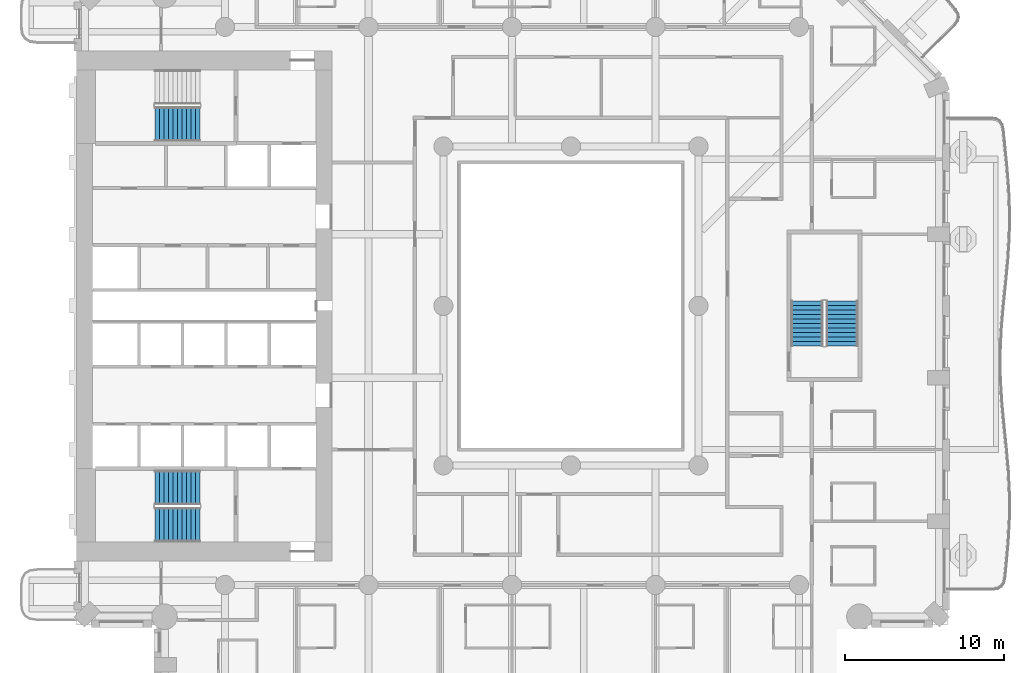
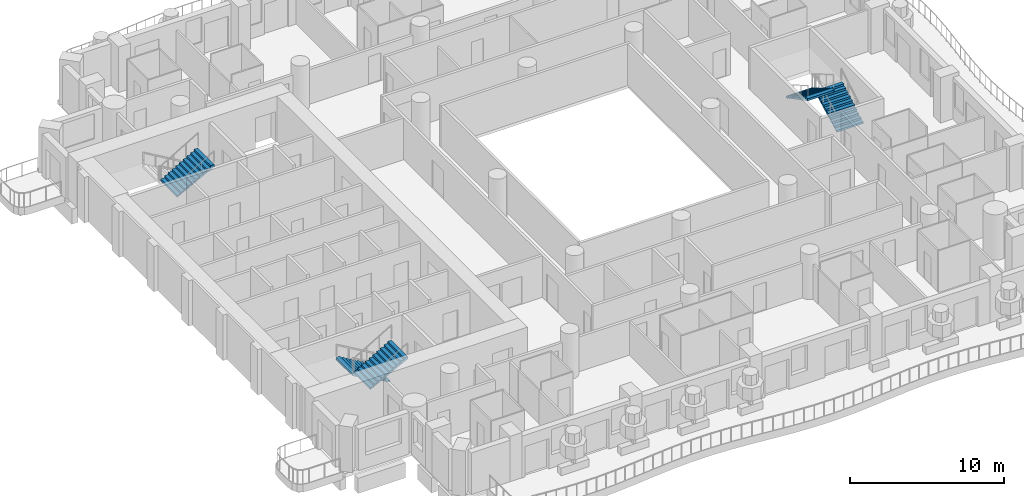
# One storey, part 11 of 20: 5 stair flights, 3 elements without a shape of their own.
"""IFC4 building model written with IfcOpenShell, lengths in metres."""

from ifc_helpers import new_model, si_unit, direction, frame, origin, place, context, subcontext, project, spatial, triangles, material, type_object, element, aggregate, save


model = new_model("IFC4")

# Units and contexts
model_context = context("Model", 3, precision=1e-05, world=origin(), true_north=direction((0.0, 1.0)))
body_context = subcontext(model_context, "Body", "Model", "MODEL_VIEW")
ifc_project = project(units=[si_unit("LENGTHUNIT", "METRE"), si_unit("AREAUNIT", "SQUARE_METRE"), si_unit("VOLUMEUNIT", "CUBIC_METRE"), si_unit("PLANEANGLEUNIT", "RADIAN"), si_unit("MASSUNIT", "GRAM", prefix="KILO")], contexts=[model_context])

# Site, building, storey
site_placement = place(None, origin())
site = spatial("IfcSite", under=ifc_project, at=site_placement, CompositionType="ELEMENT")
building_placement = place(site_placement, origin())
building = spatial("IfcBuilding", under=site, at=building_placement, Name="Cypress Arch Tower", CompositionType="ELEMENT")
storey_placement = place(building_placement, frame((0.0, 0.0, 91.5)))
storey = spatial("IfcBuildingStorey", under=building, at=storey_placement, Name="L17", CompositionType="ELEMENT", Elevation=91.5)

# Stair, stair flights
ifc_material_1 = material(Name="Concrete C40/50", Category="concrete")
stair_type_1 = type_object("IfcStairType", Name="Exit stair ES1636-200", PredefinedType="HALF_TURN_STAIR", material=ifc_material_1)
stair_1_placement = place(storey_placement, origin())
stair_1 = element("IfcStair", 1, at=stair_1_placement, inside=storey, type_object=stair_type_1, Name="L17 Exit stair C", PredefinedType="HALF_TURN_STAIR")
ifc_material_2 = material(Name="Concrete C40/50", Category="concrete")
stair_flight_type_1 = type_object("IfcStairFlightType", Name="Exit stair flight ES1636-200", PredefinedType="STRAIGHT", material=ifc_material_2)
stair_flight_1_placement = place(storey_placement, frame((18.0, -2.5, 0.0), z_axis=(0.0, 0.0, 1.0), x_axis=(0.0, 1.0, 0.0)))
stair_flight_1 = element("IfcStairFlight", 2, at=stair_flight_1_placement, type_object=stair_flight_type_1, Name="C flight 1", NumberOfRisers=11, NumberOfTreads=10, PredefinedType="STRAIGHT", RiserHeight=0.163636364, TreadLength=0.28, context=body_context, shape_type="Tessellation", body=[
    triangles([(0.0, -1.0, 0.0), (0.00048828125, -1.0, 0.054443359375), (0.00048828125, -1.0, 0.109130859375), (0.0, -1.0, 0.16357421875), (0.280029296875, -1.0, 0.16357421875), (0.280029296875, -1.0, 0.327392578125), (0.56005859375, -1.0, 0.327392578125), (0.56005859375, -1.0, 0.490966796875), (0.840087890625, -1.0, 0.490966796875), (0.840087890625, -1.0, 0.654541015625), (1.1201171875, -1.0, 0.654541015625), (1.1201171875, -1.0, 0.818115234375), (1.39990234375, -1.0, 0.818115234375), (1.39990234375, -1.0, 0.98193359375), (1.679931640625, -1.0, 0.98193359375), (1.679931640625, -1.0, 1.1455078125), (1.9599609375, -1.0, 1.1455078125), (1.9599609375, -1.0, 1.30908203125), (2.239990234375, -1.0, 1.30908203125), (2.239990234375, -1.0, 1.47265625), (2.52001953125, -1.0, 1.47265625), (2.52001953125, -1.0, 1.636474609375), (2.800048828125, -1.0, 1.636474609375), (2.799560546875, -1.0, 1.57861328125), (2.799560546875, -1.0, 1.5205078125), (2.800048828125, -1.0, 1.462646484375), (2.800048828125, 1.0, 1.462646484375), (2.799560546875, 1.0, 1.5205078125), (2.799560546875, 1.0, 1.57861328125), (2.800048828125, 1.0, 1.636474609375), (2.52001953125, 1.0, 1.636474609375), (2.52001953125, 1.0, 1.47265625), (2.239990234375, 1.0, 1.47265625), (2.239990234375, 1.0, 1.30908203125), (1.9599609375, 1.0, 1.30908203125), (1.9599609375, 1.0, 1.1455078125), (1.679931640625, 1.0, 1.1455078125), (1.679931640625, 1.0, 0.98193359375), (1.39990234375, 1.0, 0.98193359375), (1.39990234375, 1.0, 0.818115234375), (1.1201171875, 1.0, 0.818115234375), (1.1201171875, 1.0, 0.654541015625), (0.840087890625, 1.0, 0.654541015625), (0.840087890625, 1.0, 0.490966796875), (0.56005859375, 1.0, 0.490966796875), (0.56005859375, 1.0, 0.327392578125), (0.280029296875, 1.0, 0.327392578125), (0.280029296875, 1.0, 0.16357421875), (0.0, 1.0, 0.16357421875), (0.00048828125, 1.0, 0.109130859375), (0.00048828125, 1.0, 0.054443359375), (0.0, 1.0, 0.0), (2.799560546875, 0.0, 1.5205078125), (2.800048828125, 0.0, 1.462646484375), (2.799560546875, 0.0, 1.57861328125), (2.800048828125, 0.0, 1.636474609375), (2.52001953125, 0.0, 1.636474609375), (2.52001953125, 0.0, 1.47265625), (2.239990234375, 0.0, 1.47265625), (2.239990234375, 0.0, 1.30908203125), (1.9599609375, 0.0, 1.30908203125), (1.9599609375, 0.0, 1.1455078125), (1.679931640625, 0.0, 1.1455078125), (1.679931640625, 0.0, 0.98193359375), (1.39990234375, 0.0, 0.98193359375), (1.39990234375, 0.0, 0.818115234375), (1.1201171875, 0.0, 0.818115234375), (1.1201171875, 0.0, 0.654541015625), (0.840087890625, 0.0, 0.654541015625), (0.840087890625, 0.0, 0.490966796875), (0.56005859375, 0.0, 0.490966796875), (0.56005859375, 0.0, 0.327392578125), (0.280029296875, 0.0, 0.327392578125), (0.280029296875, 0.0, 0.16357421875), (0.0, 0.0, 0.16357421875), (0.00048828125, 0.0, 0.109130859375), (0.00048828125, 0.0, 0.054443359375), (0.0, 0.0, 0.0)], [[26, 25, 22], [25, 24, 22], [24, 23, 22], [15, 14, 13], [7, 6, 5], [13, 12, 11], [21, 20, 19], [19, 18, 17], [17, 16, 15], [11, 10, 9], [9, 8, 7], [4, 3, 5], [3, 2, 5], [2, 1, 5], [26, 22, 21], [26, 21, 19], [26, 19, 17], [26, 17, 15], [26, 15, 13], [26, 13, 11], [26, 11, 9], [26, 9, 7], [26, 7, 5], [26, 5, 1], [27, 31, 28], [28, 31, 29], [29, 31, 30], [38, 40, 39], [46, 48, 47], [40, 42, 41], [32, 34, 33], [34, 36, 35], [36, 38, 37], [42, 44, 43], [44, 46, 45], [49, 48, 50], [50, 48, 51], [51, 48, 52], [27, 32, 31], [27, 34, 32], [27, 36, 34], [27, 38, 36], [27, 40, 38], [27, 42, 40], [27, 44, 42], [27, 46, 44], [27, 48, 46], [27, 52, 48], [54, 53, 25], [54, 25, 26], [27, 28, 53], [27, 53, 54], [53, 55, 24], [53, 24, 25], [28, 29, 55], [28, 55, 53], [55, 56, 23], [55, 23, 24], [29, 30, 56], [29, 56, 55], [56, 57, 22], [56, 22, 23], [30, 31, 57], [30, 57, 56], [57, 58, 21], [57, 21, 22], [31, 32, 58], [31, 58, 57], [58, 59, 20], [58, 20, 21], [32, 33, 59], [32, 59, 58], [59, 60, 19], [59, 19, 20], [33, 34, 60], [33, 60, 59], [60, 61, 18], [60, 18, 19], [34, 35, 61], [34, 61, 60], [61, 62, 17], [61, 17, 18], [35, 36, 62], [35, 62, 61], [62, 63, 16], [62, 16, 17], [36, 37, 63], [36, 63, 62], [63, 64, 15], [63, 15, 16], [37, 38, 64], [37, 64, 63], [64, 65, 14], [64, 14, 15], [38, 39, 65], [38, 65, 64], [65, 66, 13], [65, 13, 14], [39, 40, 66], [39, 66, 65], [66, 67, 12], [66, 12, 13], [40, 41, 67], [40, 67, 66], [67, 68, 11], [67, 11, 12], [41, 42, 68], [41, 68, 67], [68, 69, 10], [68, 10, 11], [42, 43, 69], [42, 69, 68], [69, 70, 9], [69, 9, 10], [43, 44, 70], [43, 70, 69], [70, 71, 8], [70, 8, 9], [44, 45, 71], [44, 71, 70], [71, 72, 7], [71, 7, 8], [45, 46, 72], [45, 72, 71], [72, 73, 6], [72, 6, 7], [46, 47, 73], [46, 73, 72], [73, 74, 5], [73, 5, 6], [47, 48, 74], [47, 74, 73], [74, 75, 4], [74, 4, 5], [48, 49, 75], [48, 75, 74], [75, 76, 3], [75, 3, 4], [49, 50, 76], [49, 76, 75], [76, 77, 2], [76, 2, 3], [50, 51, 77], [50, 77, 76], [77, 78, 1], [77, 1, 2], [51, 52, 78], [51, 78, 77], [78, 54, 26], [78, 26, 1], [52, 27, 54], [52, 54, 78]], closed=True),
])
stair_flight_2_placement = place(storey_placement, frame((15.800048828125, 0.300048828125, 1.800048828125), z_axis=(0.0, 0.0, 1.0), x_axis=(0.0, -1.0, 0.0)))
stair_flight_2 = element("IfcStairFlight", 3, at=stair_flight_2_placement, type_object=stair_flight_type_1, Name="C flight 2", NumberOfRisers=11, NumberOfTreads=10, PredefinedType="STRAIGHT", RiserHeight=0.163636364, TreadLength=0.28, context=body_context, shape_type="Tessellation", body=[
    triangles([(0.0, -1.0, 0.0), (0.00048828125, -1.0, 0.054443359375), (0.00048828125, -1.0, 0.109130859375), (0.0, -1.0, 0.16357421875), (0.280029296875, -1.0, 0.16357421875), (0.280029296875, -1.0, 0.327392578125), (0.56005859375, -1.0, 0.327392578125), (0.56005859375, -1.0, 0.490966796875), (0.840087890625, -1.0, 0.490966796875), (0.840087890625, -1.0, 0.654541015625), (1.1201171875, -1.0, 0.654541015625), (1.1201171875, -1.0, 0.818115234375), (1.39990234375, -1.0, 0.818115234375), (1.39990234375, -1.0, 0.98193359375), (1.679931640625, -1.0, 0.98193359375), (1.679931640625, -1.0, 1.1455078125), (1.9599609375, -1.0, 1.1455078125), (1.9599609375, -1.0, 1.30908203125), (2.239990234375, -1.0, 1.30908203125), (2.239990234375, -1.0, 1.47265625), (2.52001953125, -1.0, 1.47265625), (2.52001953125, -1.0, 1.636474609375), (2.800048828125, -1.0, 1.636474609375), (2.799560546875, -1.0, 1.57861328125), (2.799560546875, -1.0, 1.5205078125), (2.800048828125, -1.0, 1.462646484375), (2.800048828125, 1.0, 1.462646484375), (2.799560546875, 1.0, 1.5205078125), (2.799560546875, 1.0, 1.57861328125), (2.800048828125, 1.0, 1.636474609375), (2.52001953125, 1.0, 1.636474609375), (2.52001953125, 1.0, 1.47265625), (2.239990234375, 1.0, 1.47265625), (2.239990234375, 1.0, 1.30908203125), (1.9599609375, 1.0, 1.30908203125), (1.9599609375, 1.0, 1.1455078125), (1.679931640625, 1.0, 1.1455078125), (1.679931640625, 1.0, 0.98193359375), (1.39990234375, 1.0, 0.98193359375), (1.39990234375, 1.0, 0.818115234375), (1.1201171875, 1.0, 0.818115234375), (1.1201171875, 1.0, 0.654541015625), (0.840087890625, 1.0, 0.654541015625), (0.840087890625, 1.0, 0.490966796875), (0.56005859375, 1.0, 0.490966796875), (0.56005859375, 1.0, 0.327392578125), (0.280029296875, 1.0, 0.327392578125), (0.280029296875, 1.0, 0.16357421875), (0.0, 1.0, 0.16357421875), (0.00048828125, 1.0, 0.109130859375), (0.00048828125, 1.0, 0.054443359375), (0.0, 1.0, 0.0), (2.799560546875, 0.0, 1.5205078125), (2.800048828125, 0.0, 1.462646484375), (2.799560546875, 0.0, 1.57861328125), (2.800048828125, 0.0, 1.636474609375), (2.52001953125, 0.0, 1.636474609375), (2.52001953125, 0.0, 1.47265625), (2.239990234375, 0.0, 1.47265625), (2.239990234375, 0.0, 1.30908203125), (1.9599609375, 0.0, 1.30908203125), (1.9599609375, 0.0, 1.1455078125), (1.679931640625, 0.0, 1.1455078125), (1.679931640625, 0.0, 0.98193359375), (1.39990234375, 0.0, 0.98193359375), (1.39990234375, 0.0, 0.818115234375), (1.1201171875, 0.0, 0.818115234375), (1.1201171875, 0.0, 0.654541015625), (0.840087890625, 0.0, 0.654541015625), (0.840087890625, 0.0, 0.490966796875), (0.56005859375, 0.0, 0.490966796875), (0.56005859375, 0.0, 0.327392578125), (0.280029296875, 0.0, 0.327392578125), (0.280029296875, 0.0, 0.16357421875), (0.0, 0.0, 0.16357421875), (0.00048828125, 0.0, 0.109130859375), (0.00048828125, 0.0, 0.054443359375), (0.0, 0.0, 0.0)], [[26, 25, 22], [25, 24, 22], [24, 23, 22], [15, 14, 13], [7, 6, 5], [13, 12, 11], [21, 20, 19], [19, 18, 17], [17, 16, 15], [11, 10, 9], [9, 8, 7], [4, 3, 5], [3, 2, 5], [2, 1, 5], [26, 22, 21], [26, 21, 19], [26, 19, 17], [26, 17, 15], [26, 15, 13], [26, 13, 11], [26, 11, 9], [26, 9, 7], [26, 7, 5], [26, 5, 1], [27, 31, 28], [28, 31, 29], [29, 31, 30], [38, 40, 39], [46, 48, 47], [40, 42, 41], [32, 34, 33], [34, 36, 35], [36, 38, 37], [42, 44, 43], [44, 46, 45], [49, 48, 50], [50, 48, 51], [51, 48, 52], [27, 32, 31], [27, 34, 32], [27, 36, 34], [27, 38, 36], [27, 40, 38], [27, 42, 40], [27, 44, 42], [27, 46, 44], [27, 48, 46], [27, 52, 48], [54, 53, 25], [54, 25, 26], [27, 28, 53], [27, 53, 54], [53, 55, 24], [53, 24, 25], [28, 29, 55], [28, 55, 53], [55, 56, 23], [55, 23, 24], [29, 30, 56], [29, 56, 55], [56, 57, 22], [56, 22, 23], [30, 31, 57], [30, 57, 56], [57, 58, 21], [57, 21, 22], [31, 32, 58], [31, 58, 57], [58, 59, 20], [58, 20, 21], [32, 33, 59], [32, 59, 58], [59, 60, 19], [59, 19, 20], [33, 34, 60], [33, 60, 59], [60, 61, 18], [60, 18, 19], [34, 35, 61], [34, 61, 60], [61, 62, 17], [61, 17, 18], [35, 36, 62], [35, 62, 61], [62, 63, 16], [62, 16, 17], [36, 37, 63], [36, 63, 62], [63, 64, 15], [63, 15, 16], [37, 38, 64], [37, 64, 63], [64, 65, 14], [64, 14, 15], [38, 39, 65], [38, 65, 64], [65, 66, 13], [65, 13, 14], [39, 40, 66], [39, 66, 65], [66, 67, 12], [66, 12, 13], [40, 41, 67], [40, 67, 66], [67, 68, 11], [67, 11, 12], [41, 42, 68], [41, 68, 67], [68, 69, 10], [68, 10, 11], [42, 43, 69], [42, 69, 68], [69, 70, 9], [69, 9, 10], [43, 44, 70], [43, 70, 69], [70, 71, 8], [70, 8, 9], [44, 45, 71], [44, 71, 70], [71, 72, 7], [71, 7, 8], [45, 46, 72], [45, 72, 71], [72, 73, 6], [72, 6, 7], [46, 47, 73], [46, 73, 72], [73, 74, 5], [73, 5, 6], [47, 48, 74], [47, 74, 73], [74, 75, 4], [74, 4, 5], [48, 49, 75], [48, 75, 74], [75, 76, 3], [75, 3, 4], [49, 50, 76], [49, 76, 75], [76, 77, 2], [76, 2, 3], [50, 51, 77], [50, 77, 76], [77, 78, 1], [77, 1, 2], [51, 52, 78], [51, 78, 77], [78, 54, 26], [78, 26, 1], [52, 27, 54], [52, 54, 78]], closed=True),
])
aggregate(stair_1, [stair_flight_1, stair_flight_2])

ifc_material_3 = material(Name="Concrete C40/50", Category="concrete")
stair_type_2 = type_object("IfcStairType", Name="Exit stair ES1636-215", PredefinedType="HALF_TURN_STAIR", material=ifc_material_3)
stair_2_placement = place(storey_placement, origin())
stair_2 = element("IfcStair", 4, at=stair_2_placement, inside=storey, type_object=stair_type_2, Name="L17 Exit stair A", PredefinedType="HALF_TURN_STAIR")
ifc_material_4 = material(Name="Concrete C40/50", Category="concrete")
stair_flight_type_2 = type_object("IfcStairFlightType", Name="Exit stair flight ES1636-215", PredefinedType="STRAIGHT", material=ifc_material_4)
stair_flight_3_placement = place(storey_placement, frame((-22.27490234375, -11.39990234375, 0.0), z_axis=(0.0, 0.0, 1.0), x_axis=(-1.0, 0.0, 0.0)))
stair_flight_3 = element("IfcStairFlight", 5, at=stair_flight_3_placement, type_object=stair_flight_type_2, Name="A flight 1", NumberOfRisers=11, NumberOfTreads=10, PredefinedType="STRAIGHT", RiserHeight=0.163636364, TreadLength=0.28, context=body_context, shape_type="Tessellation", body=[
    triangles([(0.0, -1.074951171875, 0.0), (0.000244140625, -1.074951171875, 0.03271484375), (0.00048828125, -1.074951171875, 0.0654296875), (0.00048828125, -1.074951171875, 0.09814453125), (0.000244140625, -1.074951171875, 0.130859375), (0.0, -1.074951171875, 0.16357421875), (0.280029296875, -1.074951171875, 0.16357421875), (0.280029296875, -1.074951171875, 0.327392578125), (0.56005859375, -1.074951171875, 0.327392578125), (0.56005859375, -1.074951171875, 0.490966796875), (0.840087890625, -1.074951171875, 0.490966796875), (0.840087890625, -1.074951171875, 0.654541015625), (1.1201171875, -1.074951171875, 0.654541015625), (1.1201171875, -1.074951171875, 0.818115234375), (1.39990234375, -1.074951171875, 0.818115234375), (1.39990234375, -1.074951171875, 0.98193359375), (1.679931640625, -1.074951171875, 0.98193359375), (1.679931640625, -1.074951171875, 1.1455078125), (1.9599609375, -1.074951171875, 1.1455078125), (1.9599609375, -1.074951171875, 1.30908203125), (2.239990234375, -1.074951171875, 1.30908203125), (2.239990234375, -1.074951171875, 1.47265625), (2.52001953125, -1.074951171875, 1.47265625), (2.52001953125, -1.074951171875, 1.636474609375), (2.800048828125, -1.074951171875, 1.636474609375), (2.7998046875, -1.074951171875, 1.601806640625), (2.799560546875, -1.074951171875, 1.56689453125), (2.799560546875, -1.074951171875, 1.5322265625), (2.7998046875, -1.074951171875, 1.497314453125), (2.800048828125, -1.074951171875, 1.462646484375), (2.800048828125, 1.074951171875, 1.462646484375), (2.7998046875, 1.074951171875, 1.497314453125), (2.799560546875, 1.074951171875, 1.5322265625), (2.799560546875, 1.074951171875, 1.56689453125), (2.7998046875, 1.074951171875, 1.601806640625), (2.800048828125, 1.074951171875, 1.636474609375), (2.52001953125, 1.074951171875, 1.636474609375), (2.52001953125, 1.074951171875, 1.47265625), (2.239990234375, 1.074951171875, 1.47265625), (2.239990234375, 1.074951171875, 1.30908203125), (1.9599609375, 1.074951171875, 1.30908203125), (1.9599609375, 1.074951171875, 1.1455078125), (1.679931640625, 1.074951171875, 1.1455078125), (1.679931640625, 1.074951171875, 0.98193359375), (1.39990234375, 1.074951171875, 0.98193359375), (1.39990234375, 1.074951171875, 0.818115234375), (1.1201171875, 1.074951171875, 0.818115234375), (1.1201171875, 1.074951171875, 0.654541015625), (0.840087890625, 1.074951171875, 0.654541015625), (0.840087890625, 1.074951171875, 0.490966796875), (0.56005859375, 1.074951171875, 0.490966796875), (0.56005859375, 1.074951171875, 0.327392578125), (0.280029296875, 1.074951171875, 0.327392578125), (0.280029296875, 1.074951171875, 0.16357421875), (0.0, 1.074951171875, 0.16357421875), (0.000244140625, 1.074951171875, 0.130859375), (0.00048828125, 1.074951171875, 0.09814453125), (0.00048828125, 1.074951171875, 0.0654296875), (0.000244140625, 1.074951171875, 0.03271484375), (0.0, 1.074951171875, 0.0), (2.7998046875, 0.0, 1.497314453125), (2.800048828125, 0.0, 1.462646484375), (2.799560546875, 0.0, 1.5322265625), (2.799560546875, 0.0, 1.56689453125), (2.7998046875, 0.0, 1.601806640625), (2.800048828125, 0.0, 1.636474609375), (2.52001953125, 0.0, 1.636474609375), (2.52001953125, 0.0, 1.47265625), (2.239990234375, 0.0, 1.47265625), (2.239990234375, 0.0, 1.30908203125), (1.9599609375, 0.0, 1.30908203125), (1.9599609375, 0.0, 1.1455078125), (1.679931640625, 0.0, 1.1455078125), (1.679931640625, 0.0, 0.98193359375), (1.39990234375, 0.0, 0.98193359375), (1.39990234375, 0.0, 0.818115234375), (1.1201171875, 0.0, 0.818115234375), (1.1201171875, 0.0, 0.654541015625), (0.840087890625, 0.0, 0.654541015625), (0.840087890625, 0.0, 0.490966796875), (0.56005859375, 0.0, 0.490966796875), (0.56005859375, 0.0, 0.327392578125), (0.280029296875, 0.0, 0.327392578125), (0.280029296875, 0.0, 0.16357421875), (0.0, 0.0, 0.16357421875), (0.000244140625, 0.0, 0.130859375), (0.00048828125, 0.0, 0.09814453125), (0.00048828125, 0.0, 0.0654296875), (0.000244140625, 0.0, 0.03271484375), (0.0, 0.0, 0.0)], [[30, 29, 24], [29, 28, 24], [28, 27, 24], [27, 26, 24], [26, 25, 24], [17, 16, 15], [9, 8, 7], [15, 14, 13], [23, 22, 21], [21, 20, 19], [19, 18, 17], [13, 12, 11], [11, 10, 9], [6, 5, 7], [5, 4, 7], [4, 3, 7], [3, 2, 7], [2, 1, 7], [30, 24, 23], [30, 23, 21], [30, 21, 19], [30, 19, 17], [30, 17, 15], [30, 15, 13], [30, 13, 11], [30, 11, 9], [30, 9, 7], [30, 7, 1], [31, 37, 32], [32, 37, 33], [33, 37, 34], [34, 37, 35], [35, 37, 36], [44, 46, 45], [52, 54, 53], [46, 48, 47], [38, 40, 39], [40, 42, 41], [42, 44, 43], [48, 50, 49], [50, 52, 51], [55, 54, 56], [56, 54, 57], [57, 54, 58], [58, 54, 59], [59, 54, 60], [31, 38, 37], [31, 40, 38], [31, 42, 40], [31, 44, 42], [31, 46, 44], [31, 48, 46], [31, 50, 48], [31, 52, 50], [31, 54, 52], [31, 60, 54], [62, 61, 29], [62, 29, 30], [31, 32, 61], [31, 61, 62], [61, 63, 28], [61, 28, 29], [32, 33, 63], [32, 63, 61], [63, 64, 27], [63, 27, 28], [33, 34, 64], [33, 64, 63], [64, 65, 26], [64, 26, 27], [34, 35, 65], [34, 65, 64], [65, 66, 25], [65, 25, 26], [35, 36, 66], [35, 66, 65], [66, 67, 24], [66, 24, 25], [36, 37, 67], [36, 67, 66], [67, 68, 23], [67, 23, 24], [37, 38, 68], [37, 68, 67], [68, 69, 22], [68, 22, 23], [38, 39, 69], [38, 69, 68], [69, 70, 21], [69, 21, 22], [39, 40, 70], [39, 70, 69], [70, 71, 20], [70, 20, 21], [40, 41, 71], [40, 71, 70], [71, 72, 19], [71, 19, 20], [41, 42, 72], [41, 72, 71], [72, 73, 18], [72, 18, 19], [42, 43, 73], [42, 73, 72], [73, 74, 17], [73, 17, 18], [43, 44, 74], [43, 74, 73], [74, 75, 16], [74, 16, 17], [44, 45, 75], [44, 75, 74], [75, 76, 15], [75, 15, 16], [45, 46, 76], [45, 76, 75], [76, 77, 14], [76, 14, 15], [46, 47, 77], [46, 77, 76], [77, 78, 13], [77, 13, 14], [47, 48, 78], [47, 78, 77], [78, 79, 12], [78, 12, 13], [48, 49, 79], [48, 79, 78], [79, 80, 11], [79, 11, 12], [49, 50, 80], [49, 80, 79], [80, 81, 10], [80, 10, 11], [50, 51, 81], [50, 81, 80], [81, 82, 9], [81, 9, 10], [51, 52, 82], [51, 82, 81], [82, 83, 8], [82, 8, 9], [52, 53, 83], [52, 83, 82], [83, 84, 7], [83, 7, 8], [53, 54, 84], [53, 84, 83], [84, 85, 6], [84, 6, 7], [54, 55, 85], [54, 85, 84], [85, 86, 5], [85, 5, 6], [55, 56, 86], [55, 86, 85], [86, 87, 4], [86, 4, 5], [56, 57, 87], [56, 87, 86], [87, 88, 3], [87, 3, 4], [57, 58, 88], [57, 88, 87], [88, 89, 2], [88, 2, 3], [58, 59, 89], [58, 89, 88], [89, 90, 1], [89, 1, 2], [59, 60, 90], [59, 90, 89], [90, 62, 30], [90, 30, 1], [60, 31, 62], [60, 62, 90]], closed=True),
])
stair_flight_4_placement = place(storey_placement, frame((-25.074951171875, -13.72509765625, 1.800048828125), z_axis=(0.0, 0.0, 1.0), x_axis=(1.0, 0.0, 0.0)))
stair_flight_4 = element("IfcStairFlight", 6, at=stair_flight_4_placement, type_object=stair_flight_type_2, Name="A flight 2", NumberOfRisers=11, NumberOfTreads=10, PredefinedType="STRAIGHT", RiserHeight=0.163636364, TreadLength=0.28, context=body_context, shape_type="Tessellation", body=[
    triangles([(0.0, -1.074951171875, 0.0), (0.000244140625, -1.074951171875, 0.03271484375), (0.00048828125, -1.074951171875, 0.0654296875), (0.00048828125, -1.074951171875, 0.09814453125), (0.000244140625, -1.074951171875, 0.130859375), (0.0, -1.074951171875, 0.16357421875), (0.280029296875, -1.074951171875, 0.16357421875), (0.280029296875, -1.074951171875, 0.327392578125), (0.56005859375, -1.074951171875, 0.327392578125), (0.56005859375, -1.074951171875, 0.490966796875), (0.840087890625, -1.074951171875, 0.490966796875), (0.840087890625, -1.074951171875, 0.654541015625), (1.1201171875, -1.074951171875, 0.654541015625), (1.1201171875, -1.074951171875, 0.818115234375), (1.39990234375, -1.074951171875, 0.818115234375), (1.39990234375, -1.074951171875, 0.98193359375), (1.679931640625, -1.074951171875, 0.98193359375), (1.679931640625, -1.074951171875, 1.1455078125), (1.9599609375, -1.074951171875, 1.1455078125), (1.9599609375, -1.074951171875, 1.30908203125), (2.239990234375, -1.074951171875, 1.30908203125), (2.239990234375, -1.074951171875, 1.47265625), (2.52001953125, -1.074951171875, 1.47265625), (2.52001953125, -1.074951171875, 1.636474609375), (2.800048828125, -1.074951171875, 1.636474609375), (2.7998046875, -1.074951171875, 1.601806640625), (2.799560546875, -1.074951171875, 1.56689453125), (2.799560546875, -1.074951171875, 1.5322265625), (2.7998046875, -1.074951171875, 1.497314453125), (2.800048828125, -1.074951171875, 1.462646484375), (2.800048828125, 1.074951171875, 1.462646484375), (2.7998046875, 1.074951171875, 1.497314453125), (2.799560546875, 1.074951171875, 1.5322265625), (2.799560546875, 1.074951171875, 1.56689453125), (2.7998046875, 1.074951171875, 1.601806640625), (2.800048828125, 1.074951171875, 1.636474609375), (2.52001953125, 1.074951171875, 1.636474609375), (2.52001953125, 1.074951171875, 1.47265625), (2.239990234375, 1.074951171875, 1.47265625), (2.239990234375, 1.074951171875, 1.30908203125), (1.9599609375, 1.074951171875, 1.30908203125), (1.9599609375, 1.074951171875, 1.1455078125), (1.679931640625, 1.074951171875, 1.1455078125), (1.679931640625, 1.074951171875, 0.98193359375), (1.39990234375, 1.074951171875, 0.98193359375), (1.39990234375, 1.074951171875, 0.818115234375), (1.1201171875, 1.074951171875, 0.818115234375), (1.1201171875, 1.074951171875, 0.654541015625), (0.840087890625, 1.074951171875, 0.654541015625), (0.840087890625, 1.074951171875, 0.490966796875), (0.56005859375, 1.074951171875, 0.490966796875), (0.56005859375, 1.074951171875, 0.327392578125), (0.280029296875, 1.074951171875, 0.327392578125), (0.280029296875, 1.074951171875, 0.16357421875), (0.0, 1.074951171875, 0.16357421875), (0.000244140625, 1.074951171875, 0.130859375), (0.00048828125, 1.074951171875, 0.09814453125), (0.00048828125, 1.074951171875, 0.0654296875), (0.000244140625, 1.074951171875, 0.03271484375), (0.0, 1.074951171875, 0.0), (2.7998046875, 0.0, 1.497314453125), (2.800048828125, 0.0, 1.462646484375), (2.799560546875, 0.0, 1.5322265625), (2.799560546875, 0.0, 1.56689453125), (2.7998046875, 0.0, 1.601806640625), (2.800048828125, 0.0, 1.636474609375), (2.52001953125, 0.0, 1.636474609375), (2.52001953125, 0.0, 1.47265625), (2.239990234375, 0.0, 1.47265625), (2.239990234375, 0.0, 1.30908203125), (1.9599609375, 0.0, 1.30908203125), (1.9599609375, 0.0, 1.1455078125), (1.679931640625, 0.0, 1.1455078125), (1.679931640625, 0.0, 0.98193359375), (1.39990234375, 0.0, 0.98193359375), (1.39990234375, 0.0, 0.818115234375), (1.1201171875, 0.0, 0.818115234375), (1.1201171875, 0.0, 0.654541015625), (0.840087890625, 0.0, 0.654541015625), (0.840087890625, 0.0, 0.490966796875), (0.56005859375, 0.0, 0.490966796875), (0.56005859375, 0.0, 0.327392578125), (0.280029296875, 0.0, 0.327392578125), (0.280029296875, 0.0, 0.16357421875), (0.0, 0.0, 0.16357421875), (0.000244140625, 0.0, 0.130859375), (0.00048828125, 0.0, 0.09814453125), (0.00048828125, 0.0, 0.0654296875), (0.000244140625, 0.0, 0.03271484375), (0.0, 0.0, 0.0)], [[30, 29, 24], [29, 28, 24], [28, 27, 24], [27, 26, 24], [26, 25, 24], [17, 16, 15], [9, 8, 7], [15, 14, 13], [23, 22, 21], [21, 20, 19], [19, 18, 17], [13, 12, 11], [11, 10, 9], [6, 5, 7], [5, 4, 7], [4, 3, 7], [3, 2, 7], [2, 1, 7], [30, 24, 23], [30, 23, 21], [30, 21, 19], [30, 19, 17], [30, 17, 15], [30, 15, 13], [30, 13, 11], [30, 11, 9], [30, 9, 7], [30, 7, 1], [31, 37, 32], [32, 37, 33], [33, 37, 34], [34, 37, 35], [35, 37, 36], [44, 46, 45], [52, 54, 53], [46, 48, 47], [38, 40, 39], [40, 42, 41], [42, 44, 43], [48, 50, 49], [50, 52, 51], [55, 54, 56], [56, 54, 57], [57, 54, 58], [58, 54, 59], [59, 54, 60], [31, 38, 37], [31, 40, 38], [31, 42, 40], [31, 44, 42], [31, 46, 44], [31, 48, 46], [31, 50, 48], [31, 52, 50], [31, 54, 52], [31, 60, 54], [62, 61, 29], [62, 29, 30], [31, 32, 61], [31, 61, 62], [61, 63, 28], [61, 28, 29], [32, 33, 63], [32, 63, 61], [63, 64, 27], [63, 27, 28], [33, 34, 64], [33, 64, 63], [64, 65, 26], [64, 26, 27], [34, 35, 65], [34, 65, 64], [65, 66, 25], [65, 25, 26], [35, 36, 66], [35, 66, 65], [66, 67, 24], [66, 24, 25], [36, 37, 67], [36, 67, 66], [67, 68, 23], [67, 23, 24], [37, 38, 68], [37, 68, 67], [68, 69, 22], [68, 22, 23], [38, 39, 69], [38, 69, 68], [69, 70, 21], [69, 21, 22], [39, 40, 70], [39, 70, 69], [70, 71, 20], [70, 20, 21], [40, 41, 71], [40, 71, 70], [71, 72, 19], [71, 19, 20], [41, 42, 72], [41, 72, 71], [72, 73, 18], [72, 18, 19], [42, 43, 73], [42, 73, 72], [73, 74, 17], [73, 17, 18], [43, 44, 74], [43, 74, 73], [74, 75, 16], [74, 16, 17], [44, 45, 75], [44, 75, 74], [75, 76, 15], [75, 15, 16], [45, 46, 76], [45, 76, 75], [76, 77, 14], [76, 14, 15], [46, 47, 77], [46, 77, 76], [77, 78, 13], [77, 13, 14], [47, 48, 78], [47, 78, 77], [78, 79, 12], [78, 12, 13], [48, 49, 79], [48, 79, 78], [79, 80, 11], [79, 11, 12], [49, 50, 80], [49, 80, 79], [80, 81, 10], [80, 10, 11], [50, 51, 81], [50, 81, 80], [81, 82, 9], [81, 9, 10], [51, 52, 82], [51, 82, 81], [82, 83, 8], [82, 8, 9], [52, 53, 83], [52, 83, 82], [83, 84, 7], [83, 7, 8], [53, 54, 84], [53, 84, 83], [84, 85, 6], [84, 6, 7], [54, 55, 85], [54, 85, 84], [85, 86, 5], [85, 5, 6], [55, 56, 86], [55, 86, 85], [86, 87, 4], [86, 4, 5], [56, 57, 87], [56, 87, 86], [87, 88, 3], [87, 3, 4], [57, 58, 88], [57, 88, 87], [88, 89, 2], [88, 2, 3], [58, 59, 89], [58, 89, 88], [89, 90, 1], [89, 1, 2], [59, 60, 90], [59, 90, 89], [90, 62, 30], [90, 30, 1], [60, 31, 62], [60, 62, 90]], closed=True),
])
aggregate(stair_2, [stair_flight_3, stair_flight_4])

# Stair, stair flight
stair_3_placement = place(storey_placement, origin())
stair_3 = element("IfcStair", 7, at=stair_3_placement, inside=storey, type_object=stair_type_2, Name="L17 Exit stair B", PredefinedType="HALF_TURN_STAIR")
stair_flight_5_placement = place(storey_placement, frame((-25.074951171875, 11.39990234375, 1.800048828125), z_axis=(0.0, 0.0, 1.0), x_axis=(1.0, 0.0, 0.0)))
stair_flight_5 = element("IfcStairFlight", 8, at=stair_flight_5_placement, type_object=stair_flight_type_2, Name="B flight 2", NumberOfRisers=11, NumberOfTreads=10, PredefinedType="STRAIGHT", RiserHeight=0.163636364, TreadLength=0.28, context=body_context, shape_type="Tessellation", body=[
    triangles([(0.0, -1.074951171875, 0.0), (0.000244140625, -1.074951171875, 0.03271484375), (0.00048828125, -1.074951171875, 0.0654296875), (0.00048828125, -1.074951171875, 0.09814453125), (0.000244140625, -1.074951171875, 0.130859375), (0.0, -1.074951171875, 0.16357421875), (0.280029296875, -1.074951171875, 0.16357421875), (0.280029296875, -1.074951171875, 0.327392578125), (0.56005859375, -1.074951171875, 0.327392578125), (0.56005859375, -1.074951171875, 0.490966796875), (0.840087890625, -1.074951171875, 0.490966796875), (0.840087890625, -1.074951171875, 0.654541015625), (1.1201171875, -1.074951171875, 0.654541015625), (1.1201171875, -1.074951171875, 0.818115234375), (1.39990234375, -1.074951171875, 0.818115234375), (1.39990234375, -1.074951171875, 0.98193359375), (1.679931640625, -1.074951171875, 0.98193359375), (1.679931640625, -1.074951171875, 1.1455078125), (1.9599609375, -1.074951171875, 1.1455078125), (1.9599609375, -1.074951171875, 1.30908203125), (2.239990234375, -1.074951171875, 1.30908203125), (2.239990234375, -1.074951171875, 1.47265625), (2.52001953125, -1.074951171875, 1.47265625), (2.52001953125, -1.074951171875, 1.636474609375), (2.800048828125, -1.074951171875, 1.636474609375), (2.7998046875, -1.074951171875, 1.601806640625), (2.799560546875, -1.074951171875, 1.56689453125), (2.799560546875, -1.074951171875, 1.5322265625), (2.7998046875, -1.074951171875, 1.497314453125), (2.800048828125, -1.074951171875, 1.462646484375), (2.800048828125, 1.074951171875, 1.462646484375), (2.7998046875, 1.074951171875, 1.497314453125), (2.799560546875, 1.074951171875, 1.5322265625), (2.799560546875, 1.074951171875, 1.56689453125), (2.7998046875, 1.074951171875, 1.601806640625), (2.800048828125, 1.074951171875, 1.636474609375), (2.52001953125, 1.074951171875, 1.636474609375), (2.52001953125, 1.074951171875, 1.47265625), (2.239990234375, 1.074951171875, 1.47265625), (2.239990234375, 1.074951171875, 1.30908203125), (1.9599609375, 1.074951171875, 1.30908203125), (1.9599609375, 1.074951171875, 1.1455078125), (1.679931640625, 1.074951171875, 1.1455078125), (1.679931640625, 1.074951171875, 0.98193359375), (1.39990234375, 1.074951171875, 0.98193359375), (1.39990234375, 1.074951171875, 0.818115234375), (1.1201171875, 1.074951171875, 0.818115234375), (1.1201171875, 1.074951171875, 0.654541015625), (0.840087890625, 1.074951171875, 0.654541015625), (0.840087890625, 1.074951171875, 0.490966796875), (0.56005859375, 1.074951171875, 0.490966796875), (0.56005859375, 1.074951171875, 0.327392578125), (0.280029296875, 1.074951171875, 0.327392578125), (0.280029296875, 1.074951171875, 0.16357421875), (0.0, 1.074951171875, 0.16357421875), (0.000244140625, 1.074951171875, 0.130859375), (0.00048828125, 1.074951171875, 0.09814453125), (0.00048828125, 1.074951171875, 0.0654296875), (0.000244140625, 1.074951171875, 0.03271484375), (0.0, 1.074951171875, 0.0), (2.7998046875, 0.0, 1.497314453125), (2.800048828125, 0.0, 1.462646484375), (2.799560546875, 0.0, 1.5322265625), (2.799560546875, 0.0, 1.56689453125), (2.7998046875, 0.0, 1.601806640625), (2.800048828125, 0.0, 1.636474609375), (2.52001953125, 0.0, 1.636474609375), (2.52001953125, 0.0, 1.47265625), (2.239990234375, 0.0, 1.47265625), (2.239990234375, 0.0, 1.30908203125), (1.9599609375, 0.0, 1.30908203125), (1.9599609375, 0.0, 1.1455078125), (1.679931640625, 0.0, 1.1455078125), (1.679931640625, 0.0, 0.98193359375), (1.39990234375, 0.0, 0.98193359375), (1.39990234375, 0.0, 0.818115234375), (1.1201171875, 0.0, 0.818115234375), (1.1201171875, 0.0, 0.654541015625), (0.840087890625, 0.0, 0.654541015625), (0.840087890625, 0.0, 0.490966796875), (0.56005859375, 0.0, 0.490966796875), (0.56005859375, 0.0, 0.327392578125), (0.280029296875, 0.0, 0.327392578125), (0.280029296875, 0.0, 0.16357421875), (0.0, 0.0, 0.16357421875), (0.000244140625, 0.0, 0.130859375), (0.00048828125, 0.0, 0.09814453125), (0.00048828125, 0.0, 0.0654296875), (0.000244140625, 0.0, 0.03271484375), (0.0, 0.0, 0.0)], [[30, 29, 24], [29, 28, 24], [28, 27, 24], [27, 26, 24], [26, 25, 24], [17, 16, 15], [9, 8, 7], [15, 14, 13], [23, 22, 21], [21, 20, 19], [19, 18, 17], [13, 12, 11], [11, 10, 9], [6, 5, 7], [5, 4, 7], [4, 3, 7], [3, 2, 7], [2, 1, 7], [30, 24, 23], [30, 23, 21], [30, 21, 19], [30, 19, 17], [30, 17, 15], [30, 15, 13], [30, 13, 11], [30, 11, 9], [30, 9, 7], [30, 7, 1], [31, 37, 32], [32, 37, 33], [33, 37, 34], [34, 37, 35], [35, 37, 36], [44, 46, 45], [52, 54, 53], [46, 48, 47], [38, 40, 39], [40, 42, 41], [42, 44, 43], [48, 50, 49], [50, 52, 51], [55, 54, 56], [56, 54, 57], [57, 54, 58], [58, 54, 59], [59, 54, 60], [31, 38, 37], [31, 40, 38], [31, 42, 40], [31, 44, 42], [31, 46, 44], [31, 48, 46], [31, 50, 48], [31, 52, 50], [31, 54, 52], [31, 60, 54], [62, 61, 29], [62, 29, 30], [31, 32, 61], [31, 61, 62], [61, 63, 28], [61, 28, 29], [32, 33, 63], [32, 63, 61], [63, 64, 27], [63, 27, 28], [33, 34, 64], [33, 64, 63], [64, 65, 26], [64, 26, 27], [34, 35, 65], [34, 65, 64], [65, 66, 25], [65, 25, 26], [35, 36, 66], [35, 66, 65], [66, 67, 24], [66, 24, 25], [36, 37, 67], [36, 67, 66], [67, 68, 23], [67, 23, 24], [37, 38, 68], [37, 68, 67], [68, 69, 22], [68, 22, 23], [38, 39, 69], [38, 69, 68], [69, 70, 21], [69, 21, 22], [39, 40, 70], [39, 70, 69], [70, 71, 20], [70, 20, 21], [40, 41, 71], [40, 71, 70], [71, 72, 19], [71, 19, 20], [41, 42, 72], [41, 72, 71], [72, 73, 18], [72, 18, 19], [42, 43, 73], [42, 73, 72], [73, 74, 17], [73, 17, 18], [43, 44, 74], [43, 74, 73], [74, 75, 16], [74, 16, 17], [44, 45, 75], [44, 75, 74], [75, 76, 15], [75, 15, 16], [45, 46, 76], [45, 76, 75], [76, 77, 14], [76, 14, 15], [46, 47, 77], [46, 77, 76], [77, 78, 13], [77, 13, 14], [47, 48, 78], [47, 78, 77], [78, 79, 12], [78, 12, 13], [48, 49, 79], [48, 79, 78], [79, 80, 11], [79, 11, 12], [49, 50, 80], [49, 80, 79], [80, 81, 10], [80, 10, 11], [50, 51, 81], [50, 81, 80], [81, 82, 9], [81, 9, 10], [51, 52, 82], [51, 82, 81], [82, 83, 8], [82, 8, 9], [52, 53, 83], [52, 83, 82], [83, 84, 7], [83, 7, 8], [53, 54, 84], [53, 84, 83], [84, 85, 6], [84, 6, 7], [54, 55, 85], [54, 85, 84], [85, 86, 5], [85, 5, 6], [55, 56, 86], [55, 86, 85], [86, 87, 4], [86, 4, 5], [56, 57, 87], [56, 87, 86], [87, 88, 3], [87, 3, 4], [57, 58, 88], [57, 88, 87], [88, 89, 2], [88, 2, 3], [58, 59, 89], [58, 89, 88], [89, 90, 1], [89, 1, 2], [59, 60, 90], [59, 90, 89], [90, 62, 30], [90, 30, 1], [60, 31, 62], [60, 62, 90]], closed=True),
])
aggregate(stair_3, [stair_flight_5])

save(model, "model.ifc")
